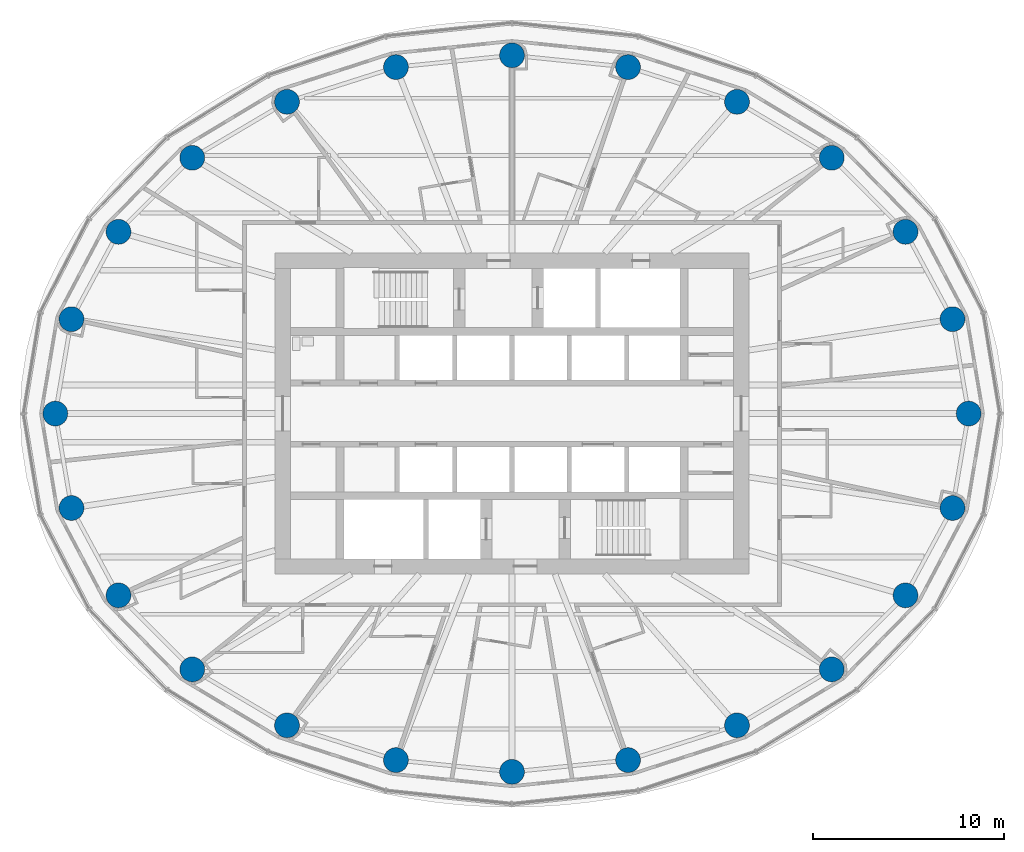
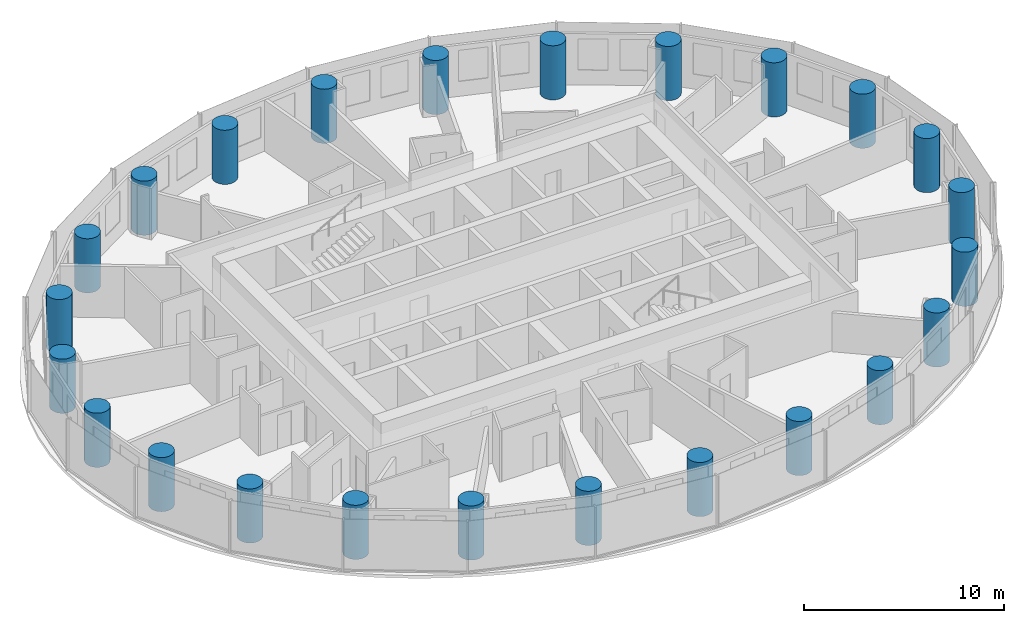
# One storey, part 1 of 14: 24 columns.
"""IFC4 building model written with IfcOpenShell, lengths in metres."""

import ifcopenshell
import ifcopenshell.guid

model = None  # the IFC model being written
_history = None  # IfcOwnerHistory: only IFC2X3 demands one
_inside = {}  # id of a spatial element -> (the spatial element, [elements in it])
_under = {}  # id of a project, library or spatial element -> (it, [spatial elements below it])
_declared = {}  # id of a project -> (the project, [libraries it declares])
_typed = {}  # id of a type object -> (the type object, [elements of that type])
_made_of = {}  # id of a material, layer set ... -> (it, [elements and type objects made of it])


def new_model(schema):
    """Start an empty IFC model of exactly this schema.

    Asked for "IFC4X3", IfcOpenShell would pick the latest addendum, in which some entities
    have other attributes; the version numbers below select the first issue.
    IFC2X3 requires an IfcOwnerHistory on every rooted entity: one is made here for all.
    """
    global model, _history
    if schema == "IFC4X3":
        model = ifcopenshell.file(schema_version=(4, 3, 0, 0))
    else:
        model = ifcopenshell.file(schema=schema)
    _inside.clear()
    _under.clear()
    _declared.clear()
    _typed.clear()
    _made_of.clear()
    _history = None
    if model.schema == "IFC2X3":
        org = make("IfcOrganization", Name="unknown")
        user = make(
            "IfcPersonAndOrganization",
            ThePerson=make("IfcPerson", FamilyName="unknown"),
            TheOrganization=org,
        )
        app = make(
            "IfcApplication",
            ApplicationDeveloper=org,
            Version="unknown",
            ApplicationFullName="unknown",
            ApplicationIdentifier="unknown",
        )
        _history = make(
            "IfcOwnerHistory",
            OwningUser=user,
            OwningApplication=app,
            ChangeAction="ADDED",
            CreationDate=0,
        )
    return model


def make(cls, **values):
    """One entity of the class cls with the attributes given. An attribute that is None is left unset."""
    return model.create_entity(
        cls, **{name: value for name, value in values.items() if value is not None}
    )


def rooted(cls, **values):
    """An entity with a GlobalId (a new one), such as an element, a storey or a relation."""
    return make(cls, GlobalId=ifcopenshell.guid.new(), OwnerHistory=_history, **values)


def si_unit(unit_type, name, prefix=None):
    """IfcSIUnit, for example si_unit("LENGTHUNIT", "METRE", prefix="MILLI")."""
    return make("IfcSIUnit", UnitType=unit_type, Prefix=prefix, Name=name)


def assignment(units):
    """IfcUnitAssignment: the units of a project."""
    return None if units is None else make("IfcUnitAssignment", Units=units)


def point(xyz):
    """IfcCartesianPoint."""
    return None if xyz is None else make("IfcCartesianPoint", Coordinates=xyz)


def direction(xyz):
    """IfcDirection."""
    return None if xyz is None else make("IfcDirection", DirectionRatios=xyz)


def frame(location, z_axis=None, x_axis=None):
    """IfcAxis2Placement3D, a coordinate frame: its origin and axes. An axis left out is left unset."""
    return make(
        "IfcAxis2Placement3D",
        Location=point(location),
        Axis=direction(z_axis),
        RefDirection=direction(x_axis),
    )


def frame_2d(location, x_axis=None):
    """IfcAxis2Placement2D, a coordinate frame in the plane: its origin and x axis."""
    return make(
        "IfcAxis2Placement2D", Location=point(location), RefDirection=direction(x_axis)
    )


def origin():
    """The frame at (0, 0, 0) with its axes left unset."""
    return frame((0.0, 0.0, 0.0))


def origin_2d():
    """The frame at (0, 0) in the plane with its x axis left unset."""
    return frame_2d((0.0, 0.0))


def place(relative_to, where):
    """IfcLocalPlacement: puts the frame where relative to a parent placement (None: the world)."""
    return make(
        "IfcLocalPlacement", PlacementRelTo=relative_to, RelativePlacement=where
    )


def context(
    kind, dimensions, precision=None, world=None, true_north=None, identifier=None
):
    """IfcGeometricRepresentationContext, for example the 3D "Model" context."""
    return make(
        "IfcGeometricRepresentationContext",
        ContextIdentifier=identifier,
        ContextType=kind,
        CoordinateSpaceDimension=dimensions,
        Precision=precision,
        WorldCoordinateSystem=world,
        TrueNorth=true_north,
    )


def subcontext(parent, identifier, kind, view, scale=None):
    """IfcGeometricRepresentationSubContext, for example "Body" below "Model"."""
    return make(
        "IfcGeometricRepresentationSubContext",
        ContextIdentifier=identifier,
        ContextType=kind,
        ParentContext=parent,
        TargetScale=scale,
        TargetView=view,
    )


def project(units=None, contexts=None):
    """IfcProject with its units and contexts."""
    return rooted(
        "IfcProject",
        Name="project",
        RepresentationContexts=contexts,
        UnitsInContext=assignment(units),
    )


def spatial(cls, under=None, at=None, **own):
    """A site, building, storey or space (cls), placed at a placement, below another one or the project."""
    s = rooted(cls, ObjectPlacement=at, **own)
    if under is not None:
        _under.setdefault(under.id(), (under, []))[1].append(s)
    return s


def profile(cls, at=None, kind="AREA", **sizes):
    """A parametric profile (cls). Its sizes go by their IFC names, for example OverallWidth=200.0."""
    return make(cls, ProfileType=kind, Position=at, **sizes)


def circle(**sizes):
    """IfcCircleProfileDef."""
    return profile("IfcCircleProfileDef", **sizes)


def extrude(swept, where, along, depth):
    """IfcExtrudedAreaSolid: the profile swept, set in the frame where, extruded along a direction by depth."""
    return make(
        "IfcExtrudedAreaSolid",
        SweptArea=swept,
        Position=where,
        ExtrudedDirection=direction(along),
        Depth=depth,
    )


def shape(context_of_items, identifier, shape_type, items):
    """IfcShapeRepresentation: the items that make up one representation, for example the "Body"."""
    return make(
        "IfcShapeRepresentation",
        ContextOfItems=context_of_items,
        RepresentationIdentifier=identifier,
        RepresentationType=shape_type,
        Items=items,
    )


def material(Name=None, Category=None):
    """IfcMaterial."""
    return make("IfcMaterial", Name=Name, Category=Category)


def material_profile(
    of_material, cross_section, Name=None, Category=None, Priority=None
):
    """IfcMaterialProfile: a cross section and its material."""
    return make(
        "IfcMaterialProfile",
        Name=Name,
        Material=of_material,
        Profile=cross_section,
        Priority=Priority,
        Category=Category,
    )


def profile_set(profiles, Name=None, composite=None):
    """IfcMaterialProfileSet."""
    return make(
        "IfcMaterialProfileSet",
        Name=Name,
        MaterialProfiles=profiles,
        CompositeProfile=composite,
    )


def made_of(thing, what):
    """Note that an element or type object is made of a material, layer set ...; save() writes the relation."""
    if what is not None:
        _made_of.setdefault(what.id(), (what, []))[1].append(thing)
    return thing


def type_object(cls, material=None, **own):
    """A type object (cls), such as IfcWallType, which elements share."""
    return made_of(rooted(cls, **own), material)


def element(
    cls,
    number,
    at=None,
    inside=None,
    cuts=None,
    type_object=None,
    material=None,
    context=None,
    identifier="Body",
    shape_type=None,
    held_by="IfcProductDefinitionShape",
    body=None,
    shapes=None,
    **own,
):
    """One element of the class cls, such as IfcWall. Its Tag is "e" and its number.

    at: its placement. inside: the storey or other place that contains it. cuts: it is an
    opening in that element (IfcRelVoidsElement). A single representation is given by context,
    identifier, shape_type and body (its items); several are given by shapes. held_by: the class
    of the entity that holds the representations. save() writes the other relations.
    """
    e = rooted(cls, Tag="e%d" % number, ObjectPlacement=at, **own)
    if body is not None:
        shapes = [shape(context, identifier, shape_type, body)]
    if shapes is not None:
        e.Representation = make(held_by, Representations=shapes)
    if inside is not None:
        _inside.setdefault(inside.id(), (inside, []))[1].append(e)
    if cuts is not None:
        rooted(
            "IfcRelVoidsElement", RelatingBuildingElement=cuts, RelatedOpeningElement=e
        )
    if type_object is not None:
        _typed.setdefault(type_object.id(), (type_object, []))[1].append(e)
    return made_of(e, material)


def aggregate(whole, parts):
    """IfcRelAggregates: a whole, such as a stair, and the parts it consists of."""
    return rooted("IfcRelAggregates", RelatingObject=whole, RelatedObjects=parts)


def save(model, path):
    """Write the relations noted so far, then the file.

    IfcRelAggregates (storeys below a building ...), IfcRelContainedInSpatialStructure (elements
    in a storey), IfcRelDefinesByType, IfcRelAssociatesMaterial and IfcRelDeclares: one each for
    every whole, place, type object, material and project.
    """
    for whole, parts in _under.values():
        aggregate(whole, parts)
    for where, things in _inside.values():
        rooted(
            "IfcRelContainedInSpatialStructure",
            RelatedElements=things,
            RelatingStructure=where,
        )
    for kind, things in _typed.values():
        rooted("IfcRelDefinesByType", RelatedObjects=things, RelatingType=kind)
    for what, things in _made_of.values():
        rooted("IfcRelAssociatesMaterial", RelatedObjects=things, RelatingMaterial=what)
    for by, libraries in _declared.values():
        rooted("IfcRelDeclares", RelatingContext=by, RelatedDefinitions=libraries)
    model.write(path)


model = new_model("IFC4")

# Units and contexts
model_context = context("Model", 3, precision=1e-05, world=origin(), true_north=direction((0.0, 1.0)))
body_context = subcontext(model_context, "Body", "Model", "MODEL_VIEW")
ifc_project = project(units=[si_unit("LENGTHUNIT", "METRE"), si_unit("AREAUNIT", "SQUARE_METRE"), si_unit("VOLUMEUNIT", "CUBIC_METRE"), si_unit("PLANEANGLEUNIT", "RADIAN"), si_unit("MASSUNIT", "GRAM", prefix="KILO")], contexts=[model_context])

# Site, building, storey
site_placement = place(None, origin())
site = spatial("IfcSite", under=ifc_project, at=site_placement, CompositionType="ELEMENT")
building_placement = place(site_placement, origin())
building = spatial("IfcBuilding", under=site, at=building_placement, Name="Hankou Lantern Tower", CompositionType="ELEMENT")
storey_placement = place(building_placement, frame((0.0, 0.0, 115.5)))
storey = spatial("IfcBuildingStorey", under=building, at=storey_placement, Name="L29", CompositionType="ELEMENT", Elevation=115.5)

# Columns
ifc_material = material(Name="Concrete C60", Category="concrete")
ifc_material_profile = material_profile(ifc_material, circle(Radius=0.64990234375, at=origin_2d()), Name="RC D1300")
ifc_profile_set = profile_set([ifc_material_profile], Name="Concrete C60")
column_type = type_object("IfcColumnType", Name="TC3 PERIMETER COLUMN RC D1300", PredefinedType="COLUMN", material=ifc_profile_set)
for number, where, z_axis, x_axis, name in (
    (1, (23.89990234375, 0.0, 0.0), (0.0, 0.0, 1.0), (1.0, 0.0, 0.0), "Column R01 L29"),
    (2, (23.054931640625, 4.942138671875, 0.0), (0.0, 0.0, 1.0), (1.0, 0.0, 0.0), "Column R02 L29"),
    (3, (20.595703125, 9.5126953125, 0.0), (0.0, 0.0, 1.0), (1.0, 0.0, 0.0), "Column R03 L29"),
    (4, (16.73388671875, 13.38720703125, 0.0), (0.0, 0.0, 1.0), (1.0, 0.0, 0.0), "Column R04 L29"),
    (5, (11.775390625, 16.31640625, 0.0), (0.0, 0.0, 1.0), (1.0, 0.0, 0.0), "Column R05 L29"),
    (6, (6.073974609375, 18.134521484375, 0.0), (0.0, 0.0, 1.0), (1.0, 0.0, 0.0), "Column R06 L29"),
    (7, (0.0, 18.75, 0.0), (0.0, 0.0, 1.0), (1.0, 0.0, 0.0), "Column R07 L29"),
    (8, (-6.073974609375, 18.134521484375, 0.0), (0.0, 0.0, 1.0), (1.0, 0.0, 0.0), "Column R08 L29"),
    (9, (-11.775390625, 16.31640625, 0.0), (0.0, 0.0, 1.0), (1.0, 0.0, 0.0), "Column R09 L29"),
    (10, (-16.73388671875, 13.38720703125, 0.0), (0.0, 0.0, 1.0), (1.0, 0.0, 0.0), "Column R10 L29"),
    (11, (-20.595703125, 9.5126953125, 0.0), (0.0, 0.0, 1.0), (1.0, 0.0, 0.0), "Column R11 L29"),
    (12, (-23.054931640625, 4.942138671875, 0.0), (0.0, 0.0, 1.0), (1.0, 0.0, 0.0), "Column R12 L29"),
    (13, (-23.89990234375, 0.0, 0.0), (0.0, 0.0, 1.0), (1.0, 0.0, 0.0), "Column R13 L29"),
    (14, (-23.054931640625, -4.942138671875, 0.0), (0.0, 0.0, 1.0), (1.0, 0.0, 0.0), "Column R14 L29"),
    (15, (-20.595703125, -9.5126953125, 0.0), (0.0, 0.0, 1.0), (1.0, 0.0, 0.0), "Column R15 L29"),
    (16, (-16.73388671875, -13.38720703125, 0.0), (0.0, 0.0, 1.0), (1.0, 0.0, 0.0), "Column R16 L29"),
    (17, (-11.775390625, -16.31640625, 0.0), (0.0, 0.0, 1.0), (1.0, 0.0, 0.0), "Column R17 L29"),
    (18, (-6.073974609375, -18.134521484375, 0.0), (0.0, 0.0, 1.0), (1.0, 0.0, 0.0), "Column R18 L29"),
    (19, (0.0, -18.75, 0.0), (0.0, 0.0, 1.0), (1.0, 0.0, 0.0), "Column R19 L29"),
    (20, (6.073974609375, -18.134521484375, 0.0), (0.0, 0.0, 1.0), (1.0, 0.0, 0.0), "Column R20 L29"),
    (21, (11.775390625, -16.31640625, 0.0), (0.0, 0.0, 1.0), (1.0, 0.0, 0.0), "Column R21 L29"),
    (22, (16.73388671875, -13.38720703125, 0.0), (0.0, 0.0, 1.0), (1.0, 0.0, 0.0), "Column R22 L29"),
    (23, (20.595703125, -9.5126953125, 0.0), (0.0, 0.0, 1.0), (1.0, 0.0, 0.0), "Column R23 L29"),
    (24, (23.054931640625, -4.942138671875, 0.0), (0.0, 0.0, 1.0), (1.0, 0.0, 0.0), "Column R24 L29"),
):
    element("IfcColumn", number, at=place(storey_placement, frame(where, z_axis=z_axis, x_axis=x_axis)), inside=storey, type_object=column_type, Name=name, PredefinedType="COLUMN", context=body_context, shape_type="SweptSolid", body=[
        extrude(circle(Radius=0.64990234375, at=origin_2d()), origin(), (0.0, 0.0, 1.0), 3.300048828125),
    ])

save(model, "model.ifc")
